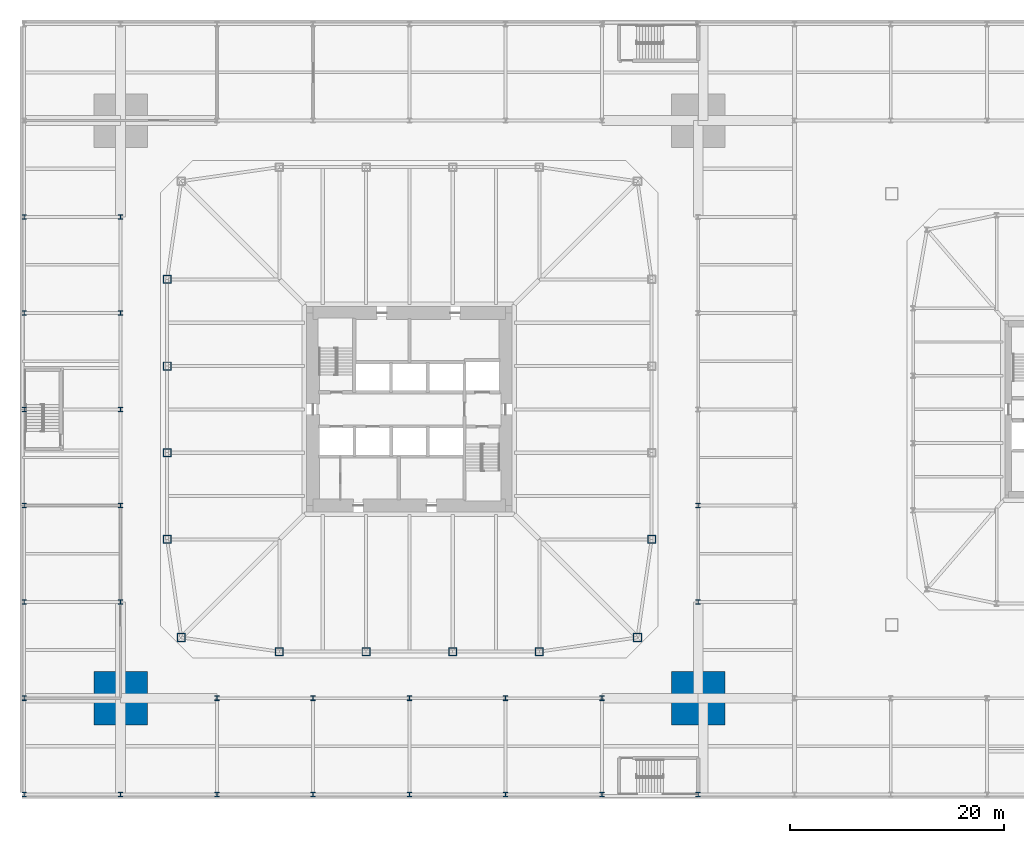
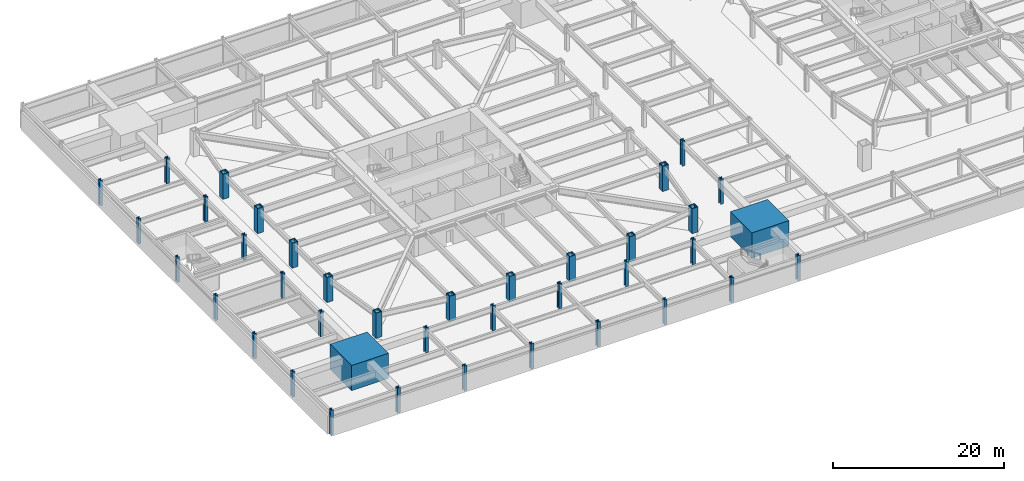
# One storey, part 1 of 17: 39 columns.
"""IFC4 building model written with IfcOpenShell, lengths in metres."""

from ifc_helpers import new_model, si_unit, direction, frame, origin, origin_2d, place, context, subcontext, project, spatial, rectangle, hollow_rectangle, i_section, extrude, material, material_profile, profile_set, type_object, element, save


model = new_model("IFC4")

# Units and contexts
model_context = context("Model", 3, precision=1e-05, world=origin(), true_north=direction((0.0, 1.0)))
body_context = subcontext(model_context, "Body", "Model", "MODEL_VIEW")
ifc_project = project(units=[si_unit("LENGTHUNIT", "METRE"), si_unit("AREAUNIT", "SQUARE_METRE"), si_unit("VOLUMEUNIT", "CUBIC_METRE"), si_unit("PLANEANGLEUNIT", "RADIAN"), si_unit("MASSUNIT", "GRAM", prefix="KILO")], contexts=[model_context])

# Site, building, storey
site_placement = place(None, origin())
site = spatial("IfcSite", under=ifc_project, at=site_placement, CompositionType="ELEMENT")
building_placement = place(site_placement, origin())
building = spatial("IfcBuilding", under=site, at=building_placement, Name="Iwan Alto Co-Living Towers", CompositionType="ELEMENT")
storey_placement = place(building_placement, frame((0.0, 0.0, -3.60009765625)))
storey = spatial("IfcBuildingStorey", under=building, at=storey_placement, Name="B1", CompositionType="ELEMENT", Elevation=-3.60009765625)

# Columns
ifc_material_1 = material(Name="Steel ASTM A992 Gr 50", Category="steel")
ifc_material_profile_1 = material_profile(ifc_material_1, i_section(OverallWidth=0.411376953125, OverallDepth=0.434326171875, WebThickness=0.035888671875, FlangeThickness=0.057373046875, at=origin_2d()), Name="W14X311")
ifc_profile_set_1 = profile_set([ifc_material_profile_1], Name="Steel ASTM A992 Gr 50")
column_type_1 = type_object("IfcColumnType", Name="PODIUM COLUMN W14X311", PredefinedType="COLUMN", material=ifc_profile_set_1)
for number, where, z_axis, x_axis, name in (
    (1, (-36.0, -36.0, 0.0), (0.0, 0.0, 1.0), (1.0, 0.0, 0.0), "Podium column 1/A B1"),
    (2, (-36.0, -27.0, 0.0), (0.0, 0.0, 1.0), (1.0, 0.0, 0.0), "Podium column 1/B B1"),
    (3, (-36.0, -18.0, 0.0), (0.0, 0.0, 1.0), (1.0, 0.0, 0.0), "Podium column 1/C B1"),
    (4, (-36.0, -9.0, 0.0), (0.0, 0.0, 1.0), (1.0, 0.0, 0.0), "Podium column 1/D B1"),
    (5, (-36.0, 0.0, 0.0), (0.0, 0.0, 1.0), (1.0, 0.0, 0.0), "Podium column 1/E B1"),
    (6, (-36.0, 9.0, 0.0), (0.0, 0.0, 1.0), (1.0, 0.0, 0.0), "Podium column 1/F B1"),
    (7, (-36.0, 18.0, 0.0), (0.0, 0.0, 1.0), (1.0, 0.0, 0.0), "Podium column 1/G B1"),
    (8, (-27.0, -36.0, 0.0), (0.0, 0.0, 1.0), (1.0, 0.0, 0.0), "Podium column 2/A B1"),
    (9, (-27.0, -18.0, 0.0), (0.0, 0.0, 1.0), (1.0, 0.0, 0.0), "Podium column 2/C B1"),
    (10, (-27.0, -9.0, 0.0), (0.0, 0.0, 1.0), (1.0, 0.0, 0.0), "Podium column 2/D B1"),
    (11, (-27.0, 0.0, 0.0), (0.0, 0.0, 1.0), (1.0, 0.0, 0.0), "Podium column 2/E B1"),
    (12, (-27.0, 9.0, 0.0), (0.0, 0.0, 1.0), (1.0, 0.0, 0.0), "Podium column 2/F B1"),
    (13, (-27.0, 18.0, 0.0), (0.0, 0.0, 1.0), (1.0, 0.0, 0.0), "Podium column 2/G B1"),
    (14, (-18.0, -36.0, 0.0), (0.0, 0.0, 1.0), (1.0, 0.0, 0.0), "Podium column 3/A B1"),
    (15, (-18.0, -27.0, 0.0), (0.0, 0.0, 1.0), (1.0, 0.0, 0.0), "Podium column 3/B B1"),
    (16, (-9.0, -36.0, 0.0), (0.0, 0.0, 1.0), (1.0, 0.0, 0.0), "Podium column 4/A B1"),
    (17, (-9.0, -27.0, 0.0), (0.0, 0.0, 1.0), (1.0, 0.0, 0.0), "Podium column 4/B B1"),
    (18, (0.0, -36.0, 0.0), (0.0, 0.0, 1.0), (1.0, 0.0, 0.0), "Podium column 5/A B1"),
    (19, (0.0, -27.0, 0.0), (0.0, 0.0, 1.0), (1.0, 0.0, 0.0), "Podium column 5/B B1"),
    (20, (9.0, -36.0, 0.0), (0.0, 0.0, 1.0), (1.0, 0.0, 0.0), "Podium column 6/A B1"),
    (21, (9.0, -27.0, 0.0), (0.0, 0.0, 1.0), (1.0, 0.0, 0.0), "Podium column 6/B B1"),
    (22, (18.0, -36.0, 0.0), (0.0, 0.0, 1.0), (1.0, 0.0, 0.0), "Podium column 7/A B1"),
    (23, (18.0, -27.0, 0.0), (0.0, 0.0, 1.0), (1.0, 0.0, 0.0), "Podium column 7/B B1"),
    (24, (27.0, -36.0, 0.0), (0.0, 0.0, 1.0), (1.0, 0.0, 0.0), "Podium column 8/A B1"),
    (25, (27.0, -18.0, 0.0), (0.0, 0.0, 1.0), (1.0, 0.0, 0.0), "Podium column 8/C B1"),
    (26, (27.0, -9.0, 0.0), (0.0, 0.0, 1.0), (1.0, 0.0, 0.0), "Podium column 8/D B1"),
):
    element("IfcColumn", number, at=place(storey_placement, frame(where, z_axis=z_axis, x_axis=x_axis)), inside=storey, type_object=column_type_1, Name=name, PredefinedType="COLUMN", context=body_context, shape_type="SweptSolid", body=[
        extrude(i_section(OverallWidth=0.411376953125, OverallDepth=0.434326171875, WebThickness=0.035888671875, FlangeThickness=0.057373046875, at=origin_2d()), origin(), (0.0, 0.0, 1.0), 3.60009765625),
    ])
ifc_material_2 = material(Name="Concrete f'c 70 MPa", Category="concrete")
ifc_material_profile_2 = material_profile(ifc_material_2, rectangle(XDim=5.0, YDim=5.0, at=origin_2d()), Name="RC 5000X5000")
ifc_profile_set_2 = profile_set([ifc_material_profile_2], Name="Concrete f'c 70 MPa")
column_type_2 = type_object("IfcColumnType", Name="T1 MEGA COLUMN RC 5000X5000", PredefinedType="COLUMN", material=ifc_profile_set_2)
for number, where, z_axis, x_axis, name in (
    (27, (-27.0, -27.0, 0.0), (0.0, 0.0, 1.0), (1.0, 0.0, 0.0), "T1 mega column SW B1"),
    (28, (27.0, -27.0, 0.0), (0.0, 0.0, 1.0), (1.0, 0.0, 0.0), "T1 mega column SE B1"),
):
    element("IfcColumn", number, at=place(storey_placement, frame(where, z_axis=z_axis, x_axis=x_axis)), inside=storey, type_object=column_type_2, Name=name, PredefinedType="COLUMN", context=body_context, shape_type="SweptSolid", body=[
        extrude(rectangle(XDim=5.0, YDim=5.0, at=origin_2d()), origin(), (0.0, 0.0, 1.0), 3.60009765625),
        extrude(i_section(OverallWidth=0.4775390625, OverallDepth=0.599365234375, WebThickness=0.10009765625, FlangeThickness=0.139892578125, at=origin_2d()), origin(), (0.0, 0.0, 1.0), 3.60009765625),
    ])
ifc_material_3 = material(Name="Steel ASTM A572 Gr 50", Category="steel")
ifc_material_profile_3 = material_profile(ifc_material_3, hollow_rectangle(XDim=0.800048828125, YDim=0.800048828125, WallThickness=0.090087890625, at=origin_2d()), Name="BOX 800X800X90")
ifc_profile_set_3 = profile_set([ifc_material_profile_3], Name="Steel ASTM A572 Gr 50")
column_type_3 = type_object("IfcColumnType", Name="T1 RING COLUMN BOX 800X800X90", PredefinedType="COLUMN", material=ifc_profile_set_3)
for number, where, z_axis, x_axis, name in (
    (29, (-21.32568359375, -21.32568359375, 0.0), (0.0, 0.0, 1.0), (1.0, 0.0, 0.0), "T1 ring column CSW B1"),
    (30, (-12.14990234375, -22.64990234375, 0.0), (0.0, 0.0, 1.0), (1.0, 0.0, 0.0), "T1 ring column S1 B1"),
    (31, (-4.050048828125, -22.64990234375, 0.0), (0.0, 0.0, 1.0), (1.0, 0.0, 0.0), "T1 ring column S2 B1"),
    (32, (4.050048828125, -22.64990234375, 0.0), (0.0, 0.0, 1.0), (1.0, 0.0, 0.0), "T1 ring column S3 B1"),
    (33, (12.14990234375, -22.64990234375, 0.0), (0.0, 0.0, 1.0), (1.0, 0.0, 0.0), "T1 ring column S4 B1"),
    (34, (21.32568359375, -21.32568359375, 0.0), (0.0, 0.0, 1.0), (1.0, 0.0, 0.0), "T1 ring column CSE B1"),
    (35, (22.64990234375, -12.14990234375, 0.0), (0.0, 0.0, 1.0), (1.0, 0.0, 0.0), "T1 ring column E1 B1"),
    (36, (-22.64990234375, 12.14990234375, 0.0), (0.0, 0.0, 1.0), (1.0, 0.0, 0.0), "T1 ring column W1 B1"),
    (37, (-22.64990234375, 4.050048828125, 0.0), (0.0, 0.0, 1.0), (1.0, 0.0, 0.0), "T1 ring column W2 B1"),
    (38, (-22.64990234375, -4.050048828125, 0.0), (0.0, 0.0, 1.0), (1.0, 0.0, 0.0), "T1 ring column W3 B1"),
    (39, (-22.64990234375, -12.14990234375, 0.0), (0.0, 0.0, 1.0), (1.0, 0.0, 0.0), "T1 ring column W4 B1"),
):
    element("IfcColumn", number, at=place(storey_placement, frame(where, z_axis=z_axis, x_axis=x_axis)), inside=storey, type_object=column_type_3, Name=name, PredefinedType="COLUMN", context=body_context, shape_type="SweptSolid", body=[
        extrude(hollow_rectangle(XDim=0.800048828125, YDim=0.800048828125, WallThickness=0.090087890625, at=origin_2d()), origin(), (0.0, 0.0, 1.0), 3.60009765625),
    ])

save(model, "model.ifc")
